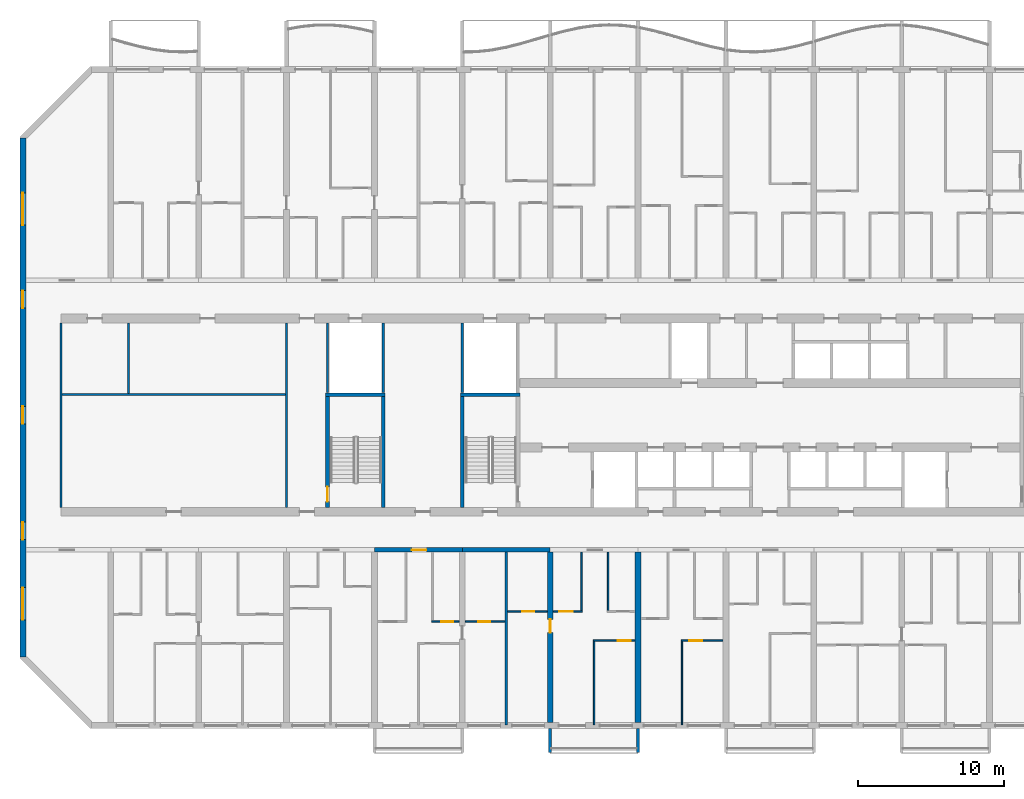
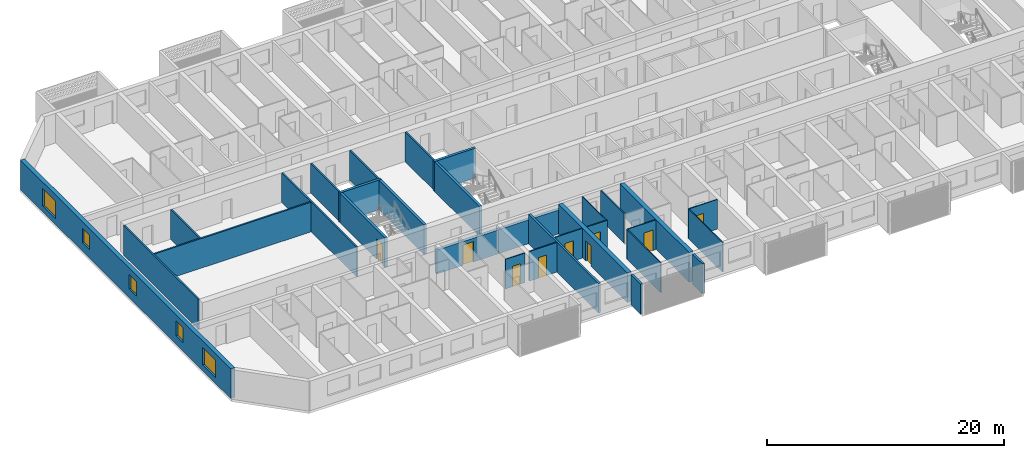
# One storey, part 4 of 44: 30 walls, 9 doors, 5 windows, 14 openings.
"""IFC4 building model written with IfcOpenShell, lengths in metres."""

from ifc_helpers import new_model, si_unit, direction, frame, frame_2d, origin, place, context, subcontext, project, spatial, polyline, rectangle, outline, extrude, source, transform, mapped, material, layer, layer_set, type_object, element, fill, save


model = new_model("IFC4")

# Units and contexts
model_context = context("Model", 3, precision=1e-05, world=origin(), true_north=direction((0.0, 1.0)))
body_context = subcontext(model_context, "Body", "Model", "MODEL_VIEW")
ifc_project = project(units=[si_unit("LENGTHUNIT", "METRE"), si_unit("AREAUNIT", "SQUARE_METRE"), si_unit("VOLUMEUNIT", "CUBIC_METRE"), si_unit("PLANEANGLEUNIT", "RADIAN"), si_unit("MASSUNIT", "GRAM", prefix="KILO")], contexts=[model_context])

# Site, building, storey
site_placement = place(None, origin())
site = spatial("IfcSite", under=ifc_project, at=site_placement, CompositionType="ELEMENT")
building_placement = place(site_placement, origin())
building = spatial("IfcBuilding", under=site, at=building_placement, Name="Poui Terraces", CompositionType="ELEMENT")
storey_placement = place(building_placement, frame((0.0, 0.0, 26.699951171875)))
storey = spatial("IfcBuildingStorey", under=building, at=storey_placement, Name="L06", CompositionType="ELEMENT", Elevation=26.699951171875)

# Walls
ifc_material_1 = material(Name="Fire-rated plasterboard wall")
ifc_layer_1 = layer(ifc_material_1, 0.14990234375)
ifc_layer_set_1 = layer_set([ifc_layer_1], Name="Fire-rated plasterboard wall")
wall_type_1 = type_object("IfcWallType", Name="CORRIDOR WALL 150", PredefinedType="PARTITIONING", material=ifc_layer_set_1)
for number, where, z_axis, x_axis, name in (
    (1, (2.60009765625, 14.909912109375, 0.0), (0.0, 0.0, 1.0), (0.0, 1.0, 0.0), "CORRIDOR WALL 150"),
    (2, (18.0, 14.909912109375, 0.0), (0.0, 0.0, 1.0), (0.0, 1.0, 0.0), "CORRIDOR WALL 150"),
):
    element("IfcWall", number, at=place(storey_placement, frame(where, z_axis=z_axis, x_axis=x_axis)), inside=storey, type_object=wall_type_1, Name=name, PredefinedType="PARTITIONING", context=body_context, shape_type="SweptSolid", body=[
        extrude(rectangle(XDim=12.580078125, YDim=0.14990234375, at=frame_2d((6.2900390625, 0.0))), origin(), (0.0, 0.0, 1.0), 3.050048828125),
    ])

# Wall, opening, door
ifc_material_2 = material(Name="Concrete 80 MPa", Category="concrete")
ifc_layer_2 = layer(ifc_material_2, 0.300048828125)
ifc_layer_set_2 = layer_set([ifc_layer_2], Name="Concrete 80 MPa")
wall_type_2 = type_object("IfcWallType", Name="CORRIDOR WALL 300 80MPa", PredefinedType="SHEAR", material=ifc_layer_set_2)
wall_1_placement = place(storey_placement, frame((24.0, 12.0, 0.0), z_axis=(0.0, 0.0, 1.0), x_axis=(1.0, 0.0, 0.0)))
wall_1 = element("IfcWall", 3, at=wall_1_placement, inside=storey, type_object=wall_type_2, Name="CORRIDOR WALL LINE B BAY 5", PredefinedType="SHEAR", context=body_context, shape_type="SweptSolid", body=[
    extrude(rectangle(XDim=6.0, YDim=0.300048828125, at=frame_2d((3.0, 0.0))), origin(), (0.0, 0.0, 1.0), 2.449951171875),
])
opening_1_placement = place(wall_1_placement, frame((2.550048828125, 0.0, 0.0)))
opening_1 = element("IfcOpeningElement", 4, at=opening_1_placement, cuts=wall_1, Name="Opening FD30S", PredefinedType="OPENING", context=body_context, shape_type="SweptSolid", body=[
    extrude(rectangle(XDim=1.0, YDim=2.10009765625, at=frame_2d((0.5, 1.050048828125))), frame((0.0, 0.16015625, 0.0), z_axis=(0.0, -1.0, 0.0), x_axis=(1.0, 0.0, 0.0)), (0.0, 0.0, 1.0), 0.320068359375),
])
ifc_material_3 = material(Name="Steel fire door", Category="steel")
door_type_1 = type_object("IfcDoorType", Name="FLAT ENTRANCE DOOR 1000 X 2100", OperationType="NOTDEFINED", PredefinedType="DOOR", material=ifc_material_3)
door_1_placement = place(opening_1_placement, frame((1.0, 0.0, 0.0), z_axis=(0.0, 0.0, 1.0), x_axis=(-1.0, 0.0, 0.0)))
door_1 = element("IfcDoor", 5, at=door_1_placement, inside=storey, type_object=door_type_1, Name="FLAT ENTRANCE DOOR 106", OperationType="SINGLE_SWING_LEFT", OverallHeight=2.10009765625, OverallWidth=1.0, PredefinedType="DOOR", context=body_context, shape_type="SweptSolid", body=[
    extrude(rectangle(XDim=1.0, YDim=2.10009765625, at=frame_2d((0.5, 1.050048828125))), frame((0.0, 0.02490234375, 0.0), z_axis=(0.0, -1.0, 0.0), x_axis=(1.0, 0.0, 0.0)), (0.0, 0.0, 1.0), 0.050048828125),
])
fill(opening_1, door_1)

# Wall
wall_2_placement = place(storey_placement, frame((30.0, 12.0, 0.0), z_axis=(0.0, 0.0, 1.0), x_axis=(1.0, 0.0, 0.0)))
element("IfcWall", 6, at=wall_2_placement, inside=storey, type_object=wall_type_2, Name="CORRIDOR WALL LINE B BAY 6", PredefinedType="SHEAR", context=body_context, shape_type="SweptSolid", body=[
    extrude(rectangle(XDim=6.0, YDim=0.300048828125, at=frame_2d((3.0, 0.0))), origin(), (0.0, 0.0, 1.0), 2.449951171875),
])

# Wall, opening, door
ifc_layer_3 = layer(ifc_material_2, 0.39990234375)
ifc_layer_set_3 = layer_set([ifc_layer_3], Name="Concrete 80 MPa")
wall_type_3 = type_object("IfcWallType", Name="CROSS WALL 400 80MPa", PredefinedType="SHEAR", material=ifc_layer_set_3)
wall_3_placement = place(storey_placement, frame((36.0, 0.199951171875, 0.0), z_axis=(0.0, 0.0, 1.0), x_axis=(0.0, 1.0, 0.0)))
wall_3 = element("IfcWall", 7, at=wall_3_placement, inside=storey, type_object=wall_type_3, Name="CROSS WALL LINE 7 SOUTH", PredefinedType="SHEAR", context=body_context, shape_type="SweptSolid", body=[
    extrude(rectangle(XDim=11.650146484375, YDim=0.39990234375, at=frame_2d((5.8251953125, 0.0))), origin(), (0.0, 0.0, 1.0), 3.050048828125),
])
opening_2_placement = place(wall_3_placement, frame((6.14990234375, 0.0, 0.0)))
opening_2 = element("IfcOpeningElement", 8, at=opening_2_placement, cuts=wall_3, Name="Opening D90", PredefinedType="OPENING", context=body_context, shape_type="SweptSolid", body=[
    extrude(rectangle(XDim=0.89990234375, YDim=2.10009765625, at=frame_2d((0.449951171875, 1.050048828125))), frame((0.0, 0.2099609375, 0.0), z_axis=(0.0, -1.0, 0.0), x_axis=(1.0, 0.0, 0.0)), (0.0, 0.0, 1.0), 0.419921875),
])
ifc_material_4 = material(Name="Solid core timber door", Category="wood")
door_type_2 = type_object("IfcDoorType", Name="INTERNAL DOOR 900 X 2100", OperationType="NOTDEFINED", PredefinedType="DOOR", material=ifc_material_4)
door_2_placement = place(opening_2_placement, origin())
door_2 = element("IfcDoor", 9, at=door_2_placement, inside=storey, type_object=door_type_2, Name="INTERNAL DOOR 111", OperationType="SINGLE_SWING_RIGHT", OverallHeight=2.10009765625, OverallWidth=0.89990234375, PredefinedType="DOOR", context=body_context, shape_type="SweptSolid", body=[
    extrude(rectangle(XDim=0.89990234375, YDim=2.10009765625, at=frame_2d((0.449951171875, 1.050048828125))), frame((0.0, 0.02490234375, 0.0), z_axis=(0.0, -1.0, 0.0), x_axis=(1.0, 0.0, 0.0)), (0.0, 0.0, 1.0), 0.050048828125),
])
fill(opening_2, door_2)

# Wall
wall_4_placement = place(storey_placement, frame((42.0, 0.199951171875, 0.0), z_axis=(0.0, 0.0, 1.0), x_axis=(0.0, 1.0, 0.0)))
element("IfcWall", 10, at=wall_4_placement, inside=storey, type_object=wall_type_3, Name="CROSS WALL LINE 8 SOUTH", PredefinedType="SHEAR", context=body_context, shape_type="SweptSolid", body=[
    extrude(rectangle(XDim=11.650146484375, YDim=0.39990234375, at=frame_2d((5.8251953125, 0.0))), origin(), (0.0, 0.0, 1.0), 3.050048828125),
])

# Wall, openings, windows
ifc_layer_4 = layer(ifc_material_2, 0.39990234375)
ifc_layer_set_4 = layer_set([ifc_layer_4], Name="Concrete 80 MPa")
wall_type_4 = type_object("IfcWallType", Name="END WALL 400 80MPa", PredefinedType="SHEAR", material=ifc_layer_set_4)
wall_5_placement = place(storey_placement, frame((0.0, 4.682861328125, 0.0), z_axis=(0.0, 0.0, 1.0), x_axis=(0.0, 1.0, 0.0)))
wall_5 = element("IfcWall", 11, at=wall_5_placement, inside=storey, type_object=wall_type_4, Name="END WALL WEST", PredefinedType="SHEAR", context=body_context, shape_type="SweptSolid", body=[
    extrude(rectangle(XDim=35.434326171875, YDim=0.39990234375, at=frame_2d((17.71728515625, 0.0))), origin(), (0.0, 0.0, 1.0), 3.050048828125),
])
opening_3_placement = place(wall_5_placement, frame((23.817138671875, 0.0, 0.89990234375)))
opening_3 = element("IfcOpeningElement", 12, at=opening_3_placement, cuts=wall_5, Name="Opening W2", PredefinedType="OPENING", context=body_context, shape_type="SweptSolid", body=[
    extrude(rectangle(XDim=1.199951171875, YDim=1.5, at=frame_2d((0.60009765625, 0.75))), frame((0.0, 0.2099609375, 0.0), z_axis=(0.0, -1.0, 0.0), x_axis=(1.0, 0.0, 0.0)), (0.0, 0.0, 1.0), 0.419921875),
])
opening_4_placement = place(wall_5_placement, frame((8.01708984375, 0.0, 0.89990234375)))
opening_4 = element("IfcOpeningElement", 13, at=opening_4_placement, cuts=wall_5, Name="Opening W2", PredefinedType="OPENING", context=body_context, shape_type="SweptSolid", body=[
    extrude(rectangle(XDim=1.199951171875, YDim=1.5, at=frame_2d((0.60009765625, 0.75))), frame((0.0, 0.2099609375, 0.0), z_axis=(0.0, -1.0, 0.0), x_axis=(1.0, 0.0, 0.0)), (0.0, 0.0, 1.0), 0.419921875),
])
opening_5_placement = place(wall_5_placement, frame((15.917236328125, 0.0, 0.89990234375)))
opening_5 = element("IfcOpeningElement", 14, at=opening_5_placement, cuts=wall_5, Name="Opening W2", PredefinedType="OPENING", context=body_context, shape_type="SweptSolid", body=[
    extrude(rectangle(XDim=1.199951171875, YDim=1.5, at=frame_2d((0.60009765625, 0.75))), frame((0.0, 0.2099609375, 0.0), z_axis=(0.0, -1.0, 0.0), x_axis=(1.0, 0.0, 0.0)), (0.0, 0.0, 1.0), 0.419921875),
])
opening_6_placement = place(wall_5_placement, frame((29.493408203125, 0.0, 0.60009765625)))
opening_6 = element("IfcOpeningElement", 15, at=opening_6_placement, cuts=wall_5, Name="Opening W3", PredefinedType="OPENING", context=body_context, shape_type="SweptSolid", body=[
    extrude(rectangle(XDim=2.199951171875, YDim=1.800048828125, at=frame_2d((1.10009765625, 0.89990234375))), frame((0.0, 0.2099609375, 0.0), z_axis=(0.0, -1.0, 0.0), x_axis=(1.0, 0.0, 0.0)), (0.0, 0.0, 1.0), 0.419921875),
])
opening_7_placement = place(wall_5_placement, frame((2.541015625, 0.0, 0.60009765625)))
opening_7 = element("IfcOpeningElement", 16, at=opening_7_placement, cuts=wall_5, Name="Opening W3", PredefinedType="OPENING", context=body_context, shape_type="SweptSolid", body=[
    extrude(rectangle(XDim=2.199951171875, YDim=1.800048828125, at=frame_2d((1.10009765625, 0.89990234375))), frame((0.0, 0.2099609375, 0.0), z_axis=(0.0, -1.0, 0.0), x_axis=(1.0, 0.0, 0.0)), (0.0, 0.0, 1.0), 0.419921875),
])
ifc_material_5 = material(Name="Clear glass in aluminium frame", Category="aluminium")
window_type_1 = type_object("IfcWindowType", Name="WINDOW 1200X1500", PartitioningType="SINGLE_PANEL", PredefinedType="WINDOW", material=ifc_material_5)
window_1_placement = place(opening_3_placement, origin())
window_1 = element("IfcWindow", 17, at=window_1_placement, inside=storey, type_object=window_type_1, Name="W2 WINDOW", OverallHeight=1.5, OverallWidth=1.199951171875, PartitioningType="SINGLE_PANEL", PredefinedType="WINDOW", context=body_context, shape_type="SweptSolid", body=[
    extrude(rectangle(XDim=1.199951171875, YDim=1.5, at=frame_2d((0.60009765625, 0.75))), frame((0.0, 0.030029296875, 0.0), z_axis=(0.0, -1.0, 0.0), x_axis=(1.0, 0.0, 0.0)), (0.0, 0.0, 1.0), 0.06005859375),
])
fill(opening_3, window_1)
window_2_placement = place(opening_4_placement, origin())
window_2 = element("IfcWindow", 18, at=window_2_placement, inside=storey, type_object=window_type_1, Name="W2 WINDOW", OverallHeight=1.5, OverallWidth=1.199951171875, PartitioningType="SINGLE_PANEL", PredefinedType="WINDOW", context=body_context, shape_type="SweptSolid", body=[
    extrude(rectangle(XDim=1.199951171875, YDim=1.5, at=frame_2d((0.60009765625, 0.75))), frame((0.0, 0.030029296875, 0.0), z_axis=(0.0, -1.0, 0.0), x_axis=(1.0, 0.0, 0.0)), (0.0, 0.0, 1.0), 0.06005859375),
])
fill(opening_4, window_2)
window_3_placement = place(opening_5_placement, origin())
window_3 = element("IfcWindow", 19, at=window_3_placement, inside=storey, type_object=window_type_1, Name="W2 WINDOW", OverallHeight=1.5, OverallWidth=1.199951171875, PartitioningType="SINGLE_PANEL", PredefinedType="WINDOW", context=body_context, shape_type="SweptSolid", body=[
    extrude(rectangle(XDim=1.199951171875, YDim=1.5, at=frame_2d((0.60009765625, 0.75))), frame((0.0, 0.030029296875, 0.0), z_axis=(0.0, -1.0, 0.0), x_axis=(1.0, 0.0, 0.0)), (0.0, 0.0, 1.0), 0.06005859375),
])
fill(opening_5, window_3)
window_type_2 = type_object("IfcWindowType", Name="WINDOW 2200X1800", PartitioningType="DOUBLE_PANEL_HORIZONTAL", PredefinedType="WINDOW", material=ifc_material_5)
window_4_placement = place(opening_6_placement, origin())
window_4 = element("IfcWindow", 20, at=window_4_placement, inside=storey, type_object=window_type_2, Name="W3 WINDOW", OverallHeight=1.800048828125, OverallWidth=2.199951171875, PartitioningType="DOUBLE_PANEL_HORIZONTAL", PredefinedType="WINDOW", context=body_context, shape_type="SweptSolid", body=[
    extrude(rectangle(XDim=2.199951171875, YDim=1.800048828125, at=frame_2d((1.10009765625, 0.89990234375))), frame((0.0, 0.030029296875, 0.0), z_axis=(0.0, -1.0, 0.0), x_axis=(1.0, 0.0, 0.0)), (0.0, 0.0, 1.0), 0.06005859375),
])
fill(opening_6, window_4)
window_5_placement = place(opening_7_placement, origin())
window_5 = element("IfcWindow", 21, at=window_5_placement, inside=storey, type_object=window_type_2, Name="W3 WINDOW", OverallHeight=1.800048828125, OverallWidth=2.199951171875, PartitioningType="DOUBLE_PANEL_HORIZONTAL", PredefinedType="WINDOW", context=body_context, shape_type="SweptSolid", body=[
    extrude(rectangle(XDim=2.199951171875, YDim=1.800048828125, at=frame_2d((1.10009765625, 0.89990234375))), frame((0.0, 0.030029296875, 0.0), z_axis=(0.0, -1.0, 0.0), x_axis=(1.0, 0.0, 0.0)), (0.0, 0.0, 1.0), 0.06005859375),
])
fill(opening_7, window_5)

# Wall, opening, door
ifc_material_6 = material(Name="Plasterboard partition")
ifc_layer_5 = layer(ifc_material_6, 0.10009765625)
ifc_layer_set_5 = layer_set([ifc_layer_5], Name="Plasterboard partition")
wall_type_5 = type_object("IfcWallType", Name="FLAT PARTITION 100", PredefinedType="PARTITIONING", material=ifc_layer_set_5)
wall_6_placement = place(storey_placement, frame((38.949951171875, 5.800048828125, 0.0), z_axis=(0.0, 0.0, 1.0), x_axis=(1.0, 0.0, 0.0)))
wall_6 = element("IfcWall", 22, at=wall_6_placement, inside=storey, type_object=wall_type_5, Name="FLAT PARTITION 100", PredefinedType="PARTITIONING", context=body_context, shape_type="SweptSolid", body=[
    extrude(rectangle(XDim=2.840087890625, YDim=0.10009765625, at=frame_2d((1.419921875, 0.0))), origin(), (0.0, 0.0, 1.0), 3.050048828125),
])
opening_8_placement = place(wall_6_placement, frame((1.64990234375, 0.0, 0.0)))
opening_8 = element("IfcOpeningElement", 23, at=opening_8_placement, cuts=wall_6, Name="Opening D90", PredefinedType="OPENING", context=body_context, shape_type="SweptSolid", body=[
    extrude(rectangle(XDim=0.89990234375, YDim=2.10009765625, at=frame_2d((0.449951171875, 1.050048828125))), frame((0.0, 0.06005859375, 0.0), z_axis=(0.0, -1.0, 0.0), x_axis=(1.0, 0.0, 0.0)), (0.0, 0.0, 1.0), 0.1201171875),
])
door_3_placement = place(opening_8_placement, origin())
door_3 = element("IfcDoor", 24, at=door_3_placement, inside=storey, type_object=door_type_2, Name="INTERNAL DOOR 115", OperationType="SINGLE_SWING_LEFT", OverallHeight=2.10009765625, OverallWidth=0.89990234375, PredefinedType="DOOR", context=body_context, shape_type="SweptSolid", body=[
    extrude(rectangle(XDim=0.89990234375, YDim=2.10009765625, at=frame_2d((0.449951171875, 1.050048828125))), frame((0.0, 0.02490234375, 0.0), z_axis=(0.0, -1.0, 0.0), x_axis=(1.0, 0.0, 0.0)), (0.0, 0.0, 1.0), 0.050048828125),
])
fill(opening_8, door_3)

wall_7_placement = place(storey_placement, frame((44.949951171875, 5.800048828125, 0.0), z_axis=(0.0, 0.0, 1.0), x_axis=(1.0, 0.0, 0.0)))
wall_7 = element("IfcWall", 25, at=wall_7_placement, inside=storey, type_object=wall_type_5, Name="FLAT PARTITION 100", PredefinedType="PARTITIONING", context=body_context, shape_type="SweptSolid", body=[
    extrude(rectangle(XDim=2.840087890625, YDim=0.10009765625, at=frame_2d((1.419921875, 0.0))), origin(), (0.0, 0.0, 1.0), 3.050048828125),
])
opening_9_placement = place(wall_7_placement, frame((0.550048828125, 0.0, 0.0)))
opening_9 = element("IfcOpeningElement", 26, at=opening_9_placement, cuts=wall_7, Name="Opening D90", PredefinedType="OPENING", context=body_context, shape_type="SweptSolid", body=[
    extrude(rectangle(XDim=0.89990234375, YDim=2.10009765625, at=frame_2d((0.449951171875, 1.050048828125))), frame((0.0, 0.06005859375, 0.0), z_axis=(0.0, -1.0, 0.0), x_axis=(1.0, 0.0, 0.0)), (0.0, 0.0, 1.0), 0.1201171875),
])
door_4_placement = place(opening_9_placement, origin())
door_4 = element("IfcDoor", 27, at=door_4_placement, inside=storey, type_object=door_type_2, Name="INTERNAL DOOR 118", OperationType="SINGLE_SWING_RIGHT", OverallHeight=2.10009765625, OverallWidth=0.89990234375, PredefinedType="DOOR", context=body_context, shape_type="SweptSolid", body=[
    extrude(rectangle(XDim=0.89990234375, YDim=2.10009765625, at=frame_2d((0.449951171875, 1.050048828125))), frame((0.0, 0.02490234375, 0.0), z_axis=(0.0, -1.0, 0.0), x_axis=(1.0, 0.0, 0.0)), (0.0, 0.0, 1.0), 0.050048828125),
])
fill(opening_9, door_4)

wall_8_placement = place(storey_placement, frame((27.89990234375, 7.10009765625, 0.0), z_axis=(0.0, 0.0, 1.0), x_axis=(1.0, 0.0, 0.0)))
wall_8 = element("IfcWall", 28, at=wall_8_placement, inside=storey, type_object=wall_type_5, Name="FLAT PARTITION 100", PredefinedType="PARTITIONING", context=body_context, shape_type="SweptSolid", body=[
    extrude(rectangle(XDim=1.89013671875, YDim=0.10009765625, at=frame_2d((0.945068359375, 0.0))), origin(), (0.0, 0.0, 1.0), 3.050048828125),
])
opening_10_placement = place(wall_8_placement, frame((0.675048828125, 0.0, 0.0)))
opening_10 = element("IfcOpeningElement", 29, at=opening_10_placement, cuts=wall_8, Name="Opening D80", PredefinedType="OPENING", context=body_context, shape_type="SweptSolid", body=[
    extrude(rectangle(XDim=0.800048828125, YDim=2.10009765625, at=frame_2d((0.39990234375, 1.050048828125))), frame((0.0, 0.06005859375, 0.0), z_axis=(0.0, -1.0, 0.0), x_axis=(1.0, 0.0, 0.0)), (0.0, 0.0, 1.0), 0.1201171875),
])
door_type_3 = type_object("IfcDoorType", Name="BATHROOM, LAUNDRY AND STORE DOOR 800 X 2100", OperationType="NOTDEFINED", PredefinedType="DOOR", material=ifc_material_4)
door_5_placement = place(opening_10_placement, origin())
door_5 = element("IfcDoor", 30, at=door_5_placement, inside=storey, type_object=door_type_3, Name="BATHROOM, LAUNDRY AND STORE DOOR 108", OperationType="SINGLE_SWING_LEFT", OverallHeight=2.10009765625, OverallWidth=0.800048828125, PredefinedType="DOOR", context=body_context, shape_type="SweptSolid", body=[
    extrude(rectangle(XDim=0.800048828125, YDim=2.10009765625, at=frame_2d((0.39990234375, 1.050048828125))), frame((0.0, 0.02490234375, 0.0), z_axis=(0.0, -1.0, 0.0), x_axis=(1.0, 0.0, 0.0)), (0.0, 0.0, 1.0), 0.050048828125),
])
fill(opening_10, door_5)

wall_9_placement = place(storey_placement, frame((30.2099609375, 7.10009765625, 0.0), z_axis=(0.0, 0.0, 1.0), x_axis=(1.0, 0.0, 0.0)))
wall_9 = element("IfcWall", 31, at=wall_9_placement, inside=storey, type_object=wall_type_5, Name="FLAT PARTITION 100", PredefinedType="PARTITIONING", context=body_context, shape_type="SweptSolid", body=[
    extrude(rectangle(XDim=2.68994140625, YDim=0.10009765625, at=frame_2d((1.344970703125, 0.0))), origin(), (0.0, 0.0, 1.0), 3.050048828125),
])
opening_11_placement = place(wall_9_placement, frame((0.889892578125, 0.0, 0.0)))
opening_11 = element("IfcOpeningElement", 32, at=opening_11_placement, cuts=wall_9, Name="Opening D80", PredefinedType="OPENING", context=body_context, shape_type="SweptSolid", body=[
    extrude(rectangle(XDim=0.800048828125, YDim=2.10009765625, at=frame_2d((0.39990234375, 1.050048828125))), frame((0.0, 0.06005859375, 0.0), z_axis=(0.0, -1.0, 0.0), x_axis=(1.0, 0.0, 0.0)), (0.0, 0.0, 1.0), 0.1201171875),
])
door_6_placement = place(opening_11_placement, origin())
door_6 = element("IfcDoor", 33, at=door_6_placement, inside=storey, type_object=door_type_3, Name="BATHROOM, LAUNDRY AND STORE DOOR 104", OperationType="SINGLE_SWING_RIGHT", OverallHeight=2.10009765625, OverallWidth=0.800048828125, PredefinedType="DOOR", context=body_context, shape_type="SweptSolid", body=[
    extrude(rectangle(XDim=0.800048828125, YDim=2.10009765625, at=frame_2d((0.39990234375, 1.050048828125))), frame((0.0, 0.02490234375, 0.0), z_axis=(0.0, -1.0, 0.0), x_axis=(1.0, 0.0, 0.0)), (0.0, 0.0, 1.0), 0.050048828125),
])
fill(opening_11, door_6)

wall_10_placement = place(storey_placement, frame((33.10009765625, 7.800048828125, 0.0), z_axis=(0.0, 0.0, 1.0), x_axis=(1.0, 0.0, 0.0)))
wall_10 = element("IfcWall", 34, at=wall_10_placement, inside=storey, type_object=wall_type_5, Name="FLAT PARTITION 100", PredefinedType="PARTITIONING", context=body_context, shape_type="SweptSolid", body=[
    extrude(rectangle(XDim=2.68994140625, YDim=0.10009765625, at=frame_2d((1.344970703125, 0.0))), origin(), (0.0, 0.0, 1.0), 3.050048828125),
])
opening_12_placement = place(wall_10_placement, frame((1.0, 0.0, 0.0)))
opening_12 = element("IfcOpeningElement", 35, at=opening_12_placement, cuts=wall_10, Name="Opening D80", PredefinedType="OPENING", context=body_context, shape_type="SweptSolid", body=[
    extrude(rectangle(XDim=0.800048828125, YDim=2.10009765625, at=frame_2d((0.39990234375, 1.050048828125))), frame((0.0, 0.06005859375, 0.0), z_axis=(0.0, -1.0, 0.0), x_axis=(1.0, 0.0, 0.0)), (0.0, 0.0, 1.0), 0.1201171875),
])
door_7_placement = place(opening_12_placement, origin())
door_7 = element("IfcDoor", 36, at=door_7_placement, inside=storey, type_object=door_type_3, Name="BATHROOM, LAUNDRY AND STORE DOOR 110", OperationType="SINGLE_SWING_LEFT", OverallHeight=2.10009765625, OverallWidth=0.800048828125, PredefinedType="DOOR", context=body_context, shape_type="SweptSolid", body=[
    extrude(rectangle(XDim=0.800048828125, YDim=2.10009765625, at=frame_2d((0.39990234375, 1.050048828125))), frame((0.0, 0.02490234375, 0.0), z_axis=(0.0, -1.0, 0.0), x_axis=(1.0, 0.0, 0.0)), (0.0, 0.0, 1.0), 0.050048828125),
])
fill(opening_12, door_7)

wall_11_placement = place(storey_placement, frame((36.2099609375, 7.800048828125, 0.0), z_axis=(0.0, 0.0, 1.0), x_axis=(1.0, 0.0, 0.0)))
wall_11 = element("IfcWall", 37, at=wall_11_placement, inside=storey, type_object=wall_type_5, Name="FLAT PARTITION 100", PredefinedType="PARTITIONING", context=body_context, shape_type="SweptSolid", body=[
    extrude(rectangle(XDim=1.989990234375, YDim=0.10009765625, at=frame_2d((0.9951171875, 0.0))), origin(), (0.0, 0.0, 1.0), 3.050048828125),
])
opening_13_placement = place(wall_11_placement, frame((0.4150390625, 0.0, 0.0)))
opening_13 = element("IfcOpeningElement", 38, at=opening_13_placement, cuts=wall_11, Name="Opening D90", PredefinedType="OPENING", context=body_context, shape_type="SweptSolid", body=[
    extrude(rectangle(XDim=0.89990234375, YDim=2.10009765625, at=frame_2d((0.449951171875, 1.050048828125))), frame((0.0, 0.06005859375, 0.0), z_axis=(0.0, -1.0, 0.0), x_axis=(1.0, 0.0, 0.0)), (0.0, 0.0, 1.0), 0.1201171875),
])
door_8_placement = place(opening_13_placement, origin())
door_8 = element("IfcDoor", 39, at=door_8_placement, inside=storey, type_object=door_type_2, Name="INTERNAL DOOR 112", OperationType="SINGLE_SWING_LEFT", OverallHeight=2.10009765625, OverallWidth=0.89990234375, PredefinedType="DOOR", context=body_context, shape_type="SweptSolid", body=[
    extrude(rectangle(XDim=0.89990234375, YDim=2.10009765625, at=frame_2d((0.449951171875, 1.050048828125))), frame((0.0, 0.02490234375, 0.0), z_axis=(0.0, -1.0, 0.0), x_axis=(1.0, 0.0, 0.0)), (0.0, 0.0, 1.0), 0.050048828125),
])
fill(opening_13, door_8)

# Walls
wall_12_placement = place(storey_placement, frame((38.14990234375, 7.85009765625, 0.0), z_axis=(0.0, 0.0, 1.0), x_axis=(0.0, 1.0, 0.0)))
element("IfcWall", 40, at=wall_12_placement, inside=storey, type_object=wall_type_5, Name="FLAT PARTITION 100", PredefinedType="PARTITIONING", context=body_context, shape_type="SweptSolid", body=[
    extrude(rectangle(XDim=3.989990234375, YDim=0.10009765625, at=frame_2d((1.9951171875, 0.0))), origin(), (0.0, 0.0, 1.0), 3.050048828125),
])
wall_13_placement = place(storey_placement, frame((39.0, 0.06005859375, 0.0), z_axis=(0.0, 0.0, 1.0), x_axis=(0.0, 1.0, 0.0)))
element("IfcWall", 41, at=wall_13_placement, inside=storey, type_object=wall_type_5, Name="FLAT PARTITION 100", PredefinedType="PARTITIONING", context=body_context, shape_type="SweptSolid", body=[
    extrude(rectangle(XDim=5.68994140625, YDim=0.10009765625, at=frame_2d((2.844970703125, 0.0))), origin(), (0.0, 0.0, 1.0), 3.050048828125),
])
wall_14_placement = place(storey_placement, frame((39.949951171875, 7.85009765625, 0.0), z_axis=(0.0, 0.0, 1.0), x_axis=(0.0, 1.0, 0.0)))
element("IfcWall", 42, at=wall_14_placement, inside=storey, type_object=wall_type_5, Name="FLAT PARTITION 100", PredefinedType="PARTITIONING", context=body_context, shape_type="SweptSolid", body=[
    extrude(rectangle(XDim=3.989990234375, YDim=0.10009765625, at=frame_2d((1.9951171875, 0.0))), origin(), (0.0, 0.0, 1.0), 3.050048828125),
])
wall_15_placement = place(storey_placement, frame((45.0, 0.06005859375, 0.0), z_axis=(0.0, 0.0, 1.0), x_axis=(0.0, 1.0, 0.0)))
element("IfcWall", 43, at=wall_15_placement, inside=storey, type_object=wall_type_5, Name="FLAT PARTITION 100", PredefinedType="PARTITIONING", context=body_context, shape_type="SweptSolid", body=[
    extrude(rectangle(XDim=5.68994140625, YDim=0.10009765625, at=frame_2d((2.844970703125, 0.0))), origin(), (0.0, 0.0, 1.0), 3.050048828125),
])
ifc_material_7 = material(Name="Fire-rated masonry wall", Category="masonry")
ifc_layer_6 = layer(ifc_material_7, 0.199951171875)
ifc_layer_set_6 = layer_set([ifc_layer_6], Name="Fire-rated masonry wall")
wall_type_6 = type_object("IfcWallType", Name="FLAT PARTY WALL 200", PredefinedType="PARTITIONING", material=ifc_layer_set_6)
wall_16_placement = place(storey_placement, frame((33.0, 0.06005859375, 0.0), z_axis=(0.0, 0.0, 1.0), x_axis=(0.0, 1.0, 0.0)))
element("IfcWall", 44, at=wall_16_placement, inside=storey, type_object=wall_type_6, Name="FLAT PARTY WALL 200", PredefinedType="PARTITIONING", context=body_context, shape_type="SweptSolid", body=[
    extrude(rectangle(XDim=11.780029296875, YDim=0.199951171875, at=frame_2d((5.89013671875, 0.0))), origin(), (0.0, 0.0, 1.0), 3.050048828125),
])
ifc_layer_7 = layer(ifc_material_6, 0.14990234375)
ifc_layer_set_7 = layer_set([ifc_layer_7], Name="Plasterboard partition")
wall_type_7 = type_object("IfcWallType", Name="PARTITION WALL 150", PredefinedType="PARTITIONING", material=ifc_layer_set_7)
wall_17_placement = place(storey_placement, frame((2.675048828125, 22.60009765625, 0.0), z_axis=(0.0, 0.0, 1.0), x_axis=(1.0, 0.0, 0.0)))
element("IfcWall", 45, at=wall_17_placement, inside=storey, type_object=wall_type_7, Name="PARTITION WALL 150", PredefinedType="PARTITIONING", context=body_context, shape_type="SweptSolid", body=[
    extrude(rectangle(XDim=15.25, YDim=0.14990234375, at=frame_2d((7.625, 0.0))), origin(), (0.0, 0.0, 1.0), 3.050048828125),
])
wall_18_placement = place(storey_placement, frame((7.199951171875, 22.675048828125, 0.0), z_axis=(0.0, 0.0, 1.0), x_axis=(0.0, 1.0, 0.0)))
element("IfcWall", 46, at=wall_18_placement, inside=storey, type_object=wall_type_7, Name="PARTITION WALL 150", PredefinedType="PARTITIONING", context=body_context, shape_type="SweptSolid", body=[
    extrude(rectangle(XDim=4.81494140625, YDim=0.14990234375, at=frame_2d((2.407470703125, 0.0))), origin(), (0.0, 0.0, 1.0), 3.050048828125),
])
ifc_material_8 = material(Name="Fire-rated plasterboard riser wall")
ifc_layer_8 = layer(ifc_material_8, 0.14990234375)
ifc_layer_set_8 = layer_set([ifc_layer_8], Name="Fire-rated plasterboard riser wall")
wall_type_8 = type_object("IfcWallType", Name="RISER WALL 150", PredefinedType="PARTITIONING", material=ifc_layer_set_8)
for number, where, z_axis, x_axis, name in (
    (47, (20.800048828125, 22.735107421875, 0.0), (0.0, 0.0, 1.0), (0.0, 1.0, 0.0), "RISER WALL 150"),
    (48, (24.60009765625, 22.735107421875, 0.0), (0.0, 0.0, 1.0), (0.0, 1.0, 0.0), "RISER WALL 150"),
    (49, (30.0, 22.735107421875, 0.0), (0.0, 0.0, 1.0), (0.0, 1.0, 0.0), "RISER WALL 150"),
):
    element("IfcWall", number, at=place(storey_placement, frame(where, z_axis=z_axis, x_axis=x_axis)), inside=storey, type_object=wall_type_8, Name=name, PredefinedType="PARTITIONING", context=body_context, shape_type="SweptSolid", body=[
        extrude(rectangle(XDim=4.7548828125, YDim=0.14990234375, at=frame_2d((2.37744140625, 0.0))), origin(), (0.0, 0.0, 1.0), 3.050048828125),
    ])
ifc_layer_9 = layer(ifc_material_2, 0.25)
ifc_layer_set_9 = layer_set([ifc_layer_9], Name="Concrete 80 MPa")
wall_type_9 = type_object("IfcWallType", Name="STAIR CORE WALL 250 80 MPA", PredefinedType="SOLIDWALL", material=ifc_layer_set_9)
wall_19_placement = place(storey_placement, frame((30.0, 14.89990234375, 0.0), z_axis=(0.0, 0.0, 1.0), x_axis=(0.0, 1.0, 0.0)))
element("IfcWall", 50, at=wall_19_placement, inside=storey, type_object=wall_type_9, Name="STAIR CORE WALL", PredefinedType="SOLIDWALL", context=body_context, shape_type="SweptSolid", body=[
    extrude(rectangle(XDim=7.5751953125, YDim=0.25, at=frame_2d((3.78759765625, 0.0))), origin(), (0.0, 0.0, 1.0), 3.050048828125),
])
wall_20_placement = place(storey_placement, frame((29.875, 22.60009765625, 0.0), z_axis=(0.0, 0.0, 1.0), x_axis=(1.0, 0.0, 0.0)))
element("IfcWall", 51, at=wall_20_placement, inside=storey, type_object=wall_type_9, Name="STAIR CORE WALL", PredefinedType="SOLIDWALL", context=body_context, shape_type="SweptSolid", body=[
    extrude(rectangle(XDim=4.050048828125, YDim=0.25, at=frame_2d((2.02490234375, 0.0))), origin(), (0.0, 0.0, 1.0), 3.050048828125),
])

# Wall, opening, door
wall_21_placement = place(storey_placement, frame((20.800048828125, 14.89990234375, 0.0), z_axis=(0.0, 0.0, 1.0), x_axis=(0.0, 1.0, 0.0)))
wall_21 = element("IfcWall", 52, at=wall_21_placement, inside=storey, type_object=wall_type_9, Name="STAIR CORE WALL", PredefinedType="SOLIDWALL", context=body_context, shape_type="SweptSolid", body=[
    extrude(rectangle(XDim=7.5751953125, YDim=0.25, at=frame_2d((3.78759765625, 0.0))), origin(), (0.0, 0.0, 1.0), 3.050048828125),
])
opening_14_placement = place(wall_21_placement, frame((0.39990234375, 0.0, 0.0)))
opening_14 = element("IfcOpeningElement", 53, at=opening_14_placement, cuts=wall_21, Name="Opening FD60S", PredefinedType="OPENING", context=body_context, shape_type="SweptSolid", body=[
    extrude(rectangle(XDim=1.0, YDim=2.10009765625, at=frame_2d((0.5, 1.050048828125))), frame((0.0, 0.135009765625, 0.0), z_axis=(0.0, -1.0, 0.0), x_axis=(1.0, 0.0, 0.0)), (0.0, 0.0, 1.0), 0.27001953125),
])
door_type_4 = type_object("IfcDoorType", Name="STAIR DOOR 1000 X 2100", OperationType="NOTDEFINED", PredefinedType="DOOR", material=ifc_material_3)
door_9_placement = place(opening_14_placement, frame((1.0, 0.0, 0.0), z_axis=(0.0, 0.0, 1.0), x_axis=(-1.0, 0.0, 0.0)))
door_9 = element("IfcDoor", 54, at=door_9_placement, inside=storey, type_object=door_type_4, Name="STAIR DOOR 167", OperationType="SINGLE_SWING_RIGHT", OverallHeight=2.10009765625, OverallWidth=1.0, PredefinedType="DOOR", context=body_context, shape_type="SweptSolid", body=[
    extrude(rectangle(XDim=1.0, YDim=2.10009765625, at=frame_2d((0.5, 1.050048828125))), frame((0.0, 0.02490234375, 0.0), z_axis=(0.0, -1.0, 0.0), x_axis=(1.0, 0.0, 0.0)), (0.0, 0.0, 1.0), 0.050048828125),
])
fill(opening_14, door_9)

# Walls
wall_22_placement = place(storey_placement, frame((24.60009765625, 14.89990234375, 0.0), z_axis=(0.0, 0.0, 1.0), x_axis=(0.0, 1.0, 0.0)))
element("IfcWall", 55, at=wall_22_placement, inside=storey, type_object=wall_type_9, Name="STAIR CORE WALL", PredefinedType="SOLIDWALL", context=body_context, shape_type="SweptSolid", body=[
    extrude(rectangle(XDim=7.5751953125, YDim=0.25, at=frame_2d((3.78759765625, 0.0))), origin(), (0.0, 0.0, 1.0), 3.050048828125),
])
wall_23_placement = place(storey_placement, frame((20.675048828125, 22.60009765625, 0.0), z_axis=(0.0, 0.0, 1.0), x_axis=(1.0, 0.0, 0.0)))
element("IfcWall", 56, at=wall_23_placement, inside=storey, type_object=wall_type_9, Name="STAIR CORE WALL", PredefinedType="SOLIDWALL", context=body_context, shape_type="SweptSolid", body=[
    extrude(rectangle(XDim=4.050048828125, YDim=0.25, at=frame_2d((2.02490234375, 0.0))), origin(), (0.0, 0.0, 1.0), 3.050048828125),
])
ifc_material_9 = material(Name="Precast concrete 40 MPa", Category="concrete")
ifc_layer_10 = layer(ifc_material_9, 0.199951171875)
ifc_layer_set_10 = layer_set([ifc_layer_10], Name="Precast concrete 40 MPa")
wall_type_10 = type_object("IfcWallType", Name="REAR FIN 200", PredefinedType="STANDARD", material=ifc_layer_set_10)
shared_shape = source(origin(), body_context, "Body", "SweptSolid", [
    extrude(outline(polyline([(0.0, 0.0), (0.2001953125, 0.0), (0.2001953125, 1.650146484375), (0.0, 1.650146484375), (0.0, 0.0)])), origin(), (0.0, 0.0, 1.0), 3.10009765625),
])
for number, where, name in (
    (57, (35.89990234375, -1.85009765625, 0.0), "REAR FIN"),
    (58, (41.89990234375, -1.85009765625, 0.0), "REAR FIN"),
):
    element("IfcWall", number, at=place(storey_placement, frame(where)), inside=storey, type_object=wall_type_10, Name=name, PredefinedType="STANDARD", context=body_context, shape_type="MappedRepresentation", body=[
        mapped(shared_shape, transform((0.0, 0.0, 0.0))),
    ])

save(model, "model.ifc")
